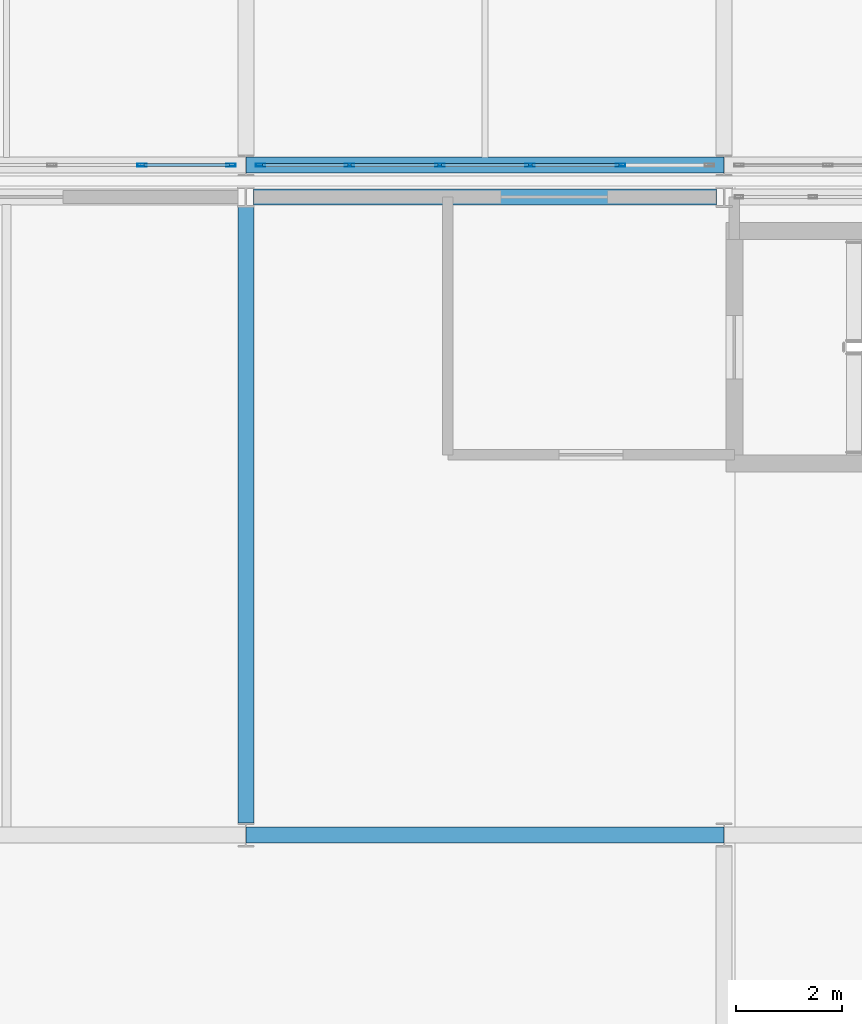
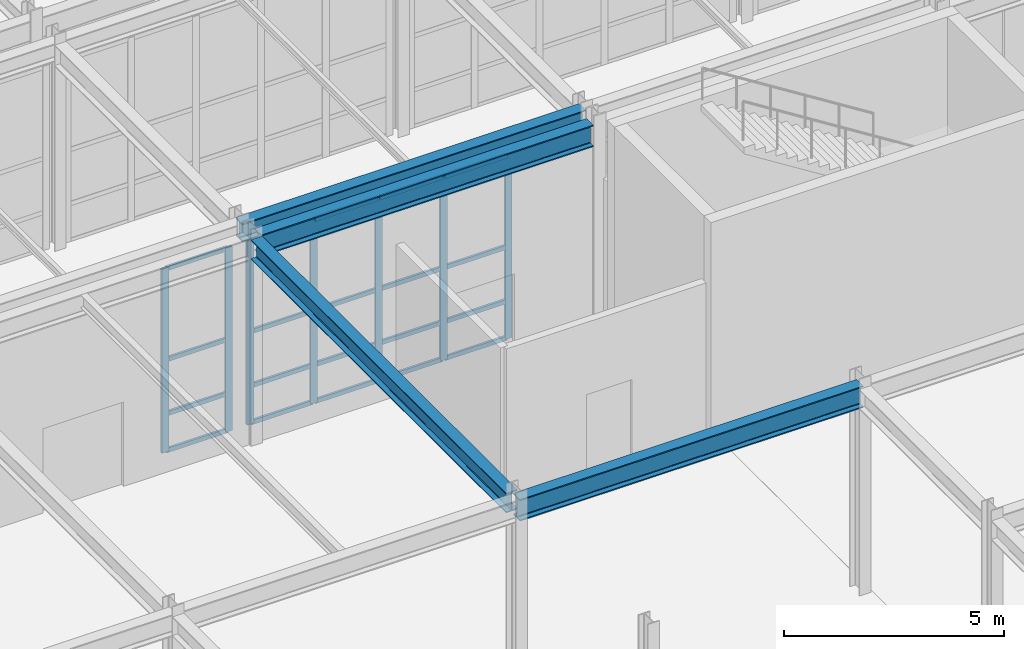
# One storey, part 30 of 146: 27 members, 4 beams, 2 elements without a shape of their own.
"""IFC4 building model written with IfcOpenShell, lengths in metres."""

from ifc_helpers import new_model, si_unit, direction, frame, origin, origin_2d, place, context, subcontext, project, spatial, hollow_rectangle, i_section, extrude, material, material_profile, profile_set, type_object, element, aggregate, save


model = new_model("IFC4")

# Units and contexts
model_context = context("Model", 3, precision=1e-05, world=origin(), true_north=direction((0.0, 1.0)))
body_context = subcontext(model_context, "Body", "Model", "MODEL_VIEW")
ifc_project = project(units=[si_unit("LENGTHUNIT", "METRE"), si_unit("AREAUNIT", "SQUARE_METRE"), si_unit("VOLUMEUNIT", "CUBIC_METRE"), si_unit("PLANEANGLEUNIT", "RADIAN"), si_unit("MASSUNIT", "GRAM", prefix="KILO")], contexts=[model_context])

# Site, building, storey
site_placement = place(None, origin())
site = spatial("IfcSite", under=ifc_project, at=site_placement, CompositionType="ELEMENT")
building_placement = place(site_placement, origin())
building = spatial("IfcBuilding", under=site, at=building_placement, Name="Kaldris Quays Convention Centre", CompositionType="ELEMENT")
storey_placement = place(building_placement, origin())
storey = spatial("IfcBuildingStorey", under=building, at=storey_placement, Name="L00", CompositionType="ELEMENT", Elevation=0.0)

# Curtain wall, members
ifc_material_1 = material(Name="Anodized aluminium AW-6060 and triple glazing", Category="aluminium")
curtain_wall_type = type_object("IfcCurtainWallType", Name="UNITISED CURTAIN WALL CW02", PredefinedType="NOTDEFINED", material=ifc_material_1)
curtain_wall_1_placement = place(storey_placement, origin())
curtain_wall_1 = element("IfcCurtainWall", 1, at=curtain_wall_1_placement, inside=storey, type_object=curtain_wall_type, Name="L00 Unitised Curtain Wall CW02 78", PredefinedType="NOTDEFINED")
ifc_material_2 = material(Name="Anodized aluminium AW-6060", Category="aluminium")
ifc_material_profile_1 = material_profile(ifc_material_2, hollow_rectangle(XDim=0.06005859375, YDim=0.179931640625, WallThickness=0.0048828125, at=origin_2d()), Name="RHS 180x60x5")
ifc_profile_set_1 = profile_set([ifc_material_profile_1], Name="Anodized aluminium AW-6060")
member_type_1 = type_object("IfcMemberType", Name="CURTAIN MULLION CWM2", PredefinedType="MULLION", material=ifc_profile_set_1)
member_1_placement = place(storey_placement, frame((36.050048828125, 46.60009765625, 0.0), z_axis=(0.0, 0.0, 1.0), x_axis=(0.0, 1.0, 0.0)))
member_1 = element("IfcMember", 2, at=member_1_placement, type_object=member_type_1, Name="CW02 mullion 5", PredefinedType="MULLION", context=body_context, shape_type="SweptSolid", body=[
    extrude(hollow_rectangle(XDim=0.06005859375, YDim=0.179931640625, WallThickness=0.0048828125, at=origin_2d()), origin(), (0.0, 0.0, 1.0), 5.10009765625),
])
member_2_placement = place(storey_placement, frame((37.719970703125, 46.60009765625, 0.0), z_axis=(0.0, 0.0, 1.0), x_axis=(0.0, 1.0, 0.0)))
member_2 = element("IfcMember", 3, at=member_2_placement, type_object=member_type_1, Name="CW02 mullion 6", PredefinedType="MULLION", context=body_context, shape_type="SweptSolid", body=[
    extrude(hollow_rectangle(XDim=0.06005859375, YDim=0.179931640625, WallThickness=0.0048828125, at=origin_2d()), origin(), (0.0, 0.0, 1.0), 5.10009765625),
])

curtain_wall_2_placement = place(storey_placement, origin())
curtain_wall_2 = element("IfcCurtainWall", 4, at=curtain_wall_2_placement, inside=storey, type_object=curtain_wall_type, Name="L00 Unitised Curtain Wall CW02 80", PredefinedType="NOTDEFINED")
member_3_placement = place(storey_placement, frame((38.280029296875, 46.60009765625, 0.0), z_axis=(0.0, 0.0, 1.0), x_axis=(0.0, 1.0, 0.0)))
member_3 = element("IfcMember", 5, at=member_3_placement, type_object=member_type_1, Name="CW02 mullion 1", PredefinedType="MULLION", context=body_context, shape_type="SweptSolid", body=[
    extrude(hollow_rectangle(XDim=0.06005859375, YDim=0.179931640625, WallThickness=0.0048828125, at=origin_2d()), origin(), (0.0, 0.0, 1.0), 5.10009765625),
])
member_4_placement = place(storey_placement, frame((39.949951171875, 46.60009765625, 0.0), z_axis=(0.0, 0.0, 1.0), x_axis=(0.0, 1.0, 0.0)))
member_4 = element("IfcMember", 6, at=member_4_placement, type_object=member_type_1, Name="CW02 mullion 2", PredefinedType="MULLION", context=body_context, shape_type="SweptSolid", body=[
    extrude(hollow_rectangle(XDim=0.06005859375, YDim=0.179931640625, WallThickness=0.0048828125, at=origin_2d()), origin(), (0.0, 0.0, 1.0), 5.10009765625),
])
member_5_placement = place(storey_placement, frame((41.64990234375, 46.60009765625, 0.0), z_axis=(0.0, 0.0, 1.0), x_axis=(0.0, 1.0, 0.0)))
member_5 = element("IfcMember", 7, at=member_5_placement, type_object=member_type_1, Name="CW02 mullion 3", PredefinedType="MULLION", context=body_context, shape_type="SweptSolid", body=[
    extrude(hollow_rectangle(XDim=0.06005859375, YDim=0.179931640625, WallThickness=0.0048828125, at=origin_2d()), origin(), (0.0, 0.0, 1.0), 5.10009765625),
])
member_6_placement = place(storey_placement, frame((43.35009765625, 46.60009765625, 0.0), z_axis=(0.0, 0.0, 1.0), x_axis=(0.0, 1.0, 0.0)))
member_6 = element("IfcMember", 8, at=member_6_placement, type_object=member_type_1, Name="CW02 mullion 4", PredefinedType="MULLION", context=body_context, shape_type="SweptSolid", body=[
    extrude(hollow_rectangle(XDim=0.06005859375, YDim=0.179931640625, WallThickness=0.0048828125, at=origin_2d()), origin(), (0.0, 0.0, 1.0), 5.10009765625),
])
member_7_placement = place(storey_placement, frame((45.050048828125, 46.60009765625, 0.0), z_axis=(0.0, 0.0, 1.0), x_axis=(0.0, 1.0, 0.0)))
member_7 = element("IfcMember", 9, at=member_7_placement, type_object=member_type_1, Name="CW02 mullion 5", PredefinedType="MULLION", context=body_context, shape_type="SweptSolid", body=[
    extrude(hollow_rectangle(XDim=0.06005859375, YDim=0.179931640625, WallThickness=0.0048828125, at=origin_2d()), origin(), (0.0, 0.0, 1.0), 5.10009765625),
])

# Member
ifc_material_profile_2 = material_profile(ifc_material_2, hollow_rectangle(XDim=0.06005859375, YDim=0.1201171875, WallThickness=0.00390625, at=origin_2d()), Name="RHS 120x60x4")
ifc_profile_set_2 = profile_set([ifc_material_profile_2], Name="Anodized aluminium AW-6060")
member_type_2 = type_object("IfcMemberType", Name="CURTAIN TRANSOM CWT1", PredefinedType="USERDEFINED", material=ifc_profile_set_2)
member_8_placement = place(storey_placement, frame((36.080078125, 46.60009765625, 0.030029296875), z_axis=(1.0, 0.0, 0.0), x_axis=(0.0, 1.0, 0.0)))
member_8 = element("IfcMember", 10, at=member_8_placement, type_object=member_type_2, Name="CW02 transom 5.1", ObjectType="TRANSOM", PredefinedType="USERDEFINED", context=body_context, shape_type="SweptSolid", body=[
    extrude(hollow_rectangle(XDim=0.06005859375, YDim=0.1201171875, WallThickness=0.00390625, at=origin_2d()), origin(), (0.0, 0.0, 1.0), 1.60986328125),
])

member_9_placement = place(storey_placement, frame((36.080078125, 46.60009765625, 1.050048828125), z_axis=(1.0, 0.0, 0.0), x_axis=(0.0, 1.0, 0.0)))
member_9 = element("IfcMember", 11, at=member_9_placement, type_object=member_type_2, Name="CW02 transom 5.2", ObjectType="TRANSOM", PredefinedType="USERDEFINED", context=body_context, shape_type="SweptSolid", body=[
    extrude(hollow_rectangle(XDim=0.06005859375, YDim=0.1201171875, WallThickness=0.00390625, at=origin_2d()), origin(), (0.0, 0.0, 1.0), 1.60986328125),
])

member_10_placement = place(storey_placement, frame((36.080078125, 46.60009765625, 2.550048828125), z_axis=(1.0, 0.0, 0.0), x_axis=(0.0, 1.0, 0.0)))
member_10 = element("IfcMember", 12, at=member_10_placement, type_object=member_type_2, Name="CW02 transom 5.3", ObjectType="TRANSOM", PredefinedType="USERDEFINED", context=body_context, shape_type="SweptSolid", body=[
    extrude(hollow_rectangle(XDim=0.06005859375, YDim=0.1201171875, WallThickness=0.00390625, at=origin_2d()), origin(), (0.0, 0.0, 1.0), 1.60986328125),
])

member_11_placement = place(storey_placement, frame((36.080078125, 46.60009765625, 5.070068359375), z_axis=(1.0, 0.0, 0.0), x_axis=(0.0, 1.0, 0.0)))
member_11 = element("IfcMember", 13, at=member_11_placement, type_object=member_type_2, Name="CW02 transom 5.4", ObjectType="TRANSOM", PredefinedType="USERDEFINED", context=body_context, shape_type="SweptSolid", body=[
    extrude(hollow_rectangle(XDim=0.06005859375, YDim=0.1201171875, WallThickness=0.00390625, at=origin_2d()), origin(), (0.0, 0.0, 1.0), 1.60986328125),
])

aggregate(curtain_wall_1, [member_1, member_2, member_8, member_9, member_10, member_11])

member_12_placement = place(storey_placement, frame((38.31005859375, 46.60009765625, 0.030029296875), z_axis=(1.0, 0.0, 0.0), x_axis=(0.0, 1.0, 0.0)))
member_12 = element("IfcMember", 14, at=member_12_placement, type_object=member_type_2, Name="CW02 transom 1.1", ObjectType="TRANSOM", PredefinedType="USERDEFINED", context=body_context, shape_type="SweptSolid", body=[
    extrude(hollow_rectangle(XDim=0.06005859375, YDim=0.1201171875, WallThickness=0.00390625, at=origin_2d()), origin(), (0.0, 0.0, 1.0), 1.60986328125),
])

member_13_placement = place(storey_placement, frame((38.31005859375, 46.60009765625, 1.050048828125), z_axis=(1.0, 0.0, 0.0), x_axis=(0.0, 1.0, 0.0)))
member_13 = element("IfcMember", 15, at=member_13_placement, type_object=member_type_2, Name="CW02 transom 1.2", ObjectType="TRANSOM", PredefinedType="USERDEFINED", context=body_context, shape_type="SweptSolid", body=[
    extrude(hollow_rectangle(XDim=0.06005859375, YDim=0.1201171875, WallThickness=0.00390625, at=origin_2d()), origin(), (0.0, 0.0, 1.0), 1.60986328125),
])

member_14_placement = place(storey_placement, frame((38.31005859375, 46.60009765625, 2.550048828125), z_axis=(1.0, 0.0, 0.0), x_axis=(0.0, 1.0, 0.0)))
member_14 = element("IfcMember", 16, at=member_14_placement, type_object=member_type_2, Name="CW02 transom 1.3", ObjectType="TRANSOM", PredefinedType="USERDEFINED", context=body_context, shape_type="SweptSolid", body=[
    extrude(hollow_rectangle(XDim=0.06005859375, YDim=0.1201171875, WallThickness=0.00390625, at=origin_2d()), origin(), (0.0, 0.0, 1.0), 1.60986328125),
])

member_15_placement = place(storey_placement, frame((38.31005859375, 46.60009765625, 5.070068359375), z_axis=(1.0, 0.0, 0.0), x_axis=(0.0, 1.0, 0.0)))
member_15 = element("IfcMember", 17, at=member_15_placement, type_object=member_type_2, Name="CW02 transom 1.4", ObjectType="TRANSOM", PredefinedType="USERDEFINED", context=body_context, shape_type="SweptSolid", body=[
    extrude(hollow_rectangle(XDim=0.06005859375, YDim=0.1201171875, WallThickness=0.00390625, at=origin_2d()), origin(), (0.0, 0.0, 1.0), 1.60986328125),
])

member_16_placement = place(storey_placement, frame((39.97998046875, 46.60009765625, 0.030029296875), z_axis=(1.0, 0.0, 0.0), x_axis=(0.0, 1.0, 0.0)))
member_16 = element("IfcMember", 18, at=member_16_placement, type_object=member_type_2, Name="CW02 transom 2.1", ObjectType="TRANSOM", PredefinedType="USERDEFINED", context=body_context, shape_type="SweptSolid", body=[
    extrude(hollow_rectangle(XDim=0.06005859375, YDim=0.1201171875, WallThickness=0.00390625, at=origin_2d()), origin(), (0.0, 0.0, 1.0), 1.64013671875),
])

member_17_placement = place(storey_placement, frame((39.97998046875, 46.60009765625, 1.050048828125), z_axis=(1.0, 0.0, 0.0), x_axis=(0.0, 1.0, 0.0)))
member_17 = element("IfcMember", 19, at=member_17_placement, type_object=member_type_2, Name="CW02 transom 2.2", ObjectType="TRANSOM", PredefinedType="USERDEFINED", context=body_context, shape_type="SweptSolid", body=[
    extrude(hollow_rectangle(XDim=0.06005859375, YDim=0.1201171875, WallThickness=0.00390625, at=origin_2d()), origin(), (0.0, 0.0, 1.0), 1.64013671875),
])

member_18_placement = place(storey_placement, frame((39.97998046875, 46.60009765625, 2.550048828125), z_axis=(1.0, 0.0, 0.0), x_axis=(0.0, 1.0, 0.0)))
member_18 = element("IfcMember", 20, at=member_18_placement, type_object=member_type_2, Name="CW02 transom 2.3", ObjectType="TRANSOM", PredefinedType="USERDEFINED", context=body_context, shape_type="SweptSolid", body=[
    extrude(hollow_rectangle(XDim=0.06005859375, YDim=0.1201171875, WallThickness=0.00390625, at=origin_2d()), origin(), (0.0, 0.0, 1.0), 1.64013671875),
])

member_19_placement = place(storey_placement, frame((39.97998046875, 46.60009765625, 5.070068359375), z_axis=(1.0, 0.0, 0.0), x_axis=(0.0, 1.0, 0.0)))
member_19 = element("IfcMember", 21, at=member_19_placement, type_object=member_type_2, Name="CW02 transom 2.4", ObjectType="TRANSOM", PredefinedType="USERDEFINED", context=body_context, shape_type="SweptSolid", body=[
    extrude(hollow_rectangle(XDim=0.06005859375, YDim=0.1201171875, WallThickness=0.00390625, at=origin_2d()), origin(), (0.0, 0.0, 1.0), 1.64013671875),
])

member_20_placement = place(storey_placement, frame((41.679931640625, 46.60009765625, 0.030029296875), z_axis=(1.0, 0.0, 0.0), x_axis=(0.0, 1.0, 0.0)))
member_20 = element("IfcMember", 22, at=member_20_placement, type_object=member_type_2, Name="CW02 transom 3.1", ObjectType="TRANSOM", PredefinedType="USERDEFINED", context=body_context, shape_type="SweptSolid", body=[
    extrude(hollow_rectangle(XDim=0.06005859375, YDim=0.1201171875, WallThickness=0.00390625, at=origin_2d()), origin(), (0.0, 0.0, 1.0), 1.64013671875),
])

member_21_placement = place(storey_placement, frame((41.679931640625, 46.60009765625, 1.050048828125), z_axis=(1.0, 0.0, 0.0), x_axis=(0.0, 1.0, 0.0)))
member_21 = element("IfcMember", 23, at=member_21_placement, type_object=member_type_2, Name="CW02 transom 3.2", ObjectType="TRANSOM", PredefinedType="USERDEFINED", context=body_context, shape_type="SweptSolid", body=[
    extrude(hollow_rectangle(XDim=0.06005859375, YDim=0.1201171875, WallThickness=0.00390625, at=origin_2d()), origin(), (0.0, 0.0, 1.0), 1.64013671875),
])

member_22_placement = place(storey_placement, frame((41.679931640625, 46.60009765625, 2.550048828125), z_axis=(1.0, 0.0, 0.0), x_axis=(0.0, 1.0, 0.0)))
member_22 = element("IfcMember", 24, at=member_22_placement, type_object=member_type_2, Name="CW02 transom 3.3", ObjectType="TRANSOM", PredefinedType="USERDEFINED", context=body_context, shape_type="SweptSolid", body=[
    extrude(hollow_rectangle(XDim=0.06005859375, YDim=0.1201171875, WallThickness=0.00390625, at=origin_2d()), origin(), (0.0, 0.0, 1.0), 1.64013671875),
])

member_23_placement = place(storey_placement, frame((41.679931640625, 46.60009765625, 5.070068359375), z_axis=(1.0, 0.0, 0.0), x_axis=(0.0, 1.0, 0.0)))
member_23 = element("IfcMember", 25, at=member_23_placement, type_object=member_type_2, Name="CW02 transom 3.4", ObjectType="TRANSOM", PredefinedType="USERDEFINED", context=body_context, shape_type="SweptSolid", body=[
    extrude(hollow_rectangle(XDim=0.06005859375, YDim=0.1201171875, WallThickness=0.00390625, at=origin_2d()), origin(), (0.0, 0.0, 1.0), 1.64013671875),
])

member_24_placement = place(storey_placement, frame((43.3798828125, 46.60009765625, 0.030029296875), z_axis=(1.0, 0.0, 0.0), x_axis=(0.0, 1.0, 0.0)))
member_24 = element("IfcMember", 26, at=member_24_placement, type_object=member_type_2, Name="CW02 transom 4.1", ObjectType="TRANSOM", PredefinedType="USERDEFINED", context=body_context, shape_type="SweptSolid", body=[
    extrude(hollow_rectangle(XDim=0.06005859375, YDim=0.1201171875, WallThickness=0.00390625, at=origin_2d()), origin(), (0.0, 0.0, 1.0), 1.64013671875),
])

member_25_placement = place(storey_placement, frame((43.3798828125, 46.60009765625, 1.050048828125), z_axis=(1.0, 0.0, 0.0), x_axis=(0.0, 1.0, 0.0)))
member_25 = element("IfcMember", 27, at=member_25_placement, type_object=member_type_2, Name="CW02 transom 4.2", ObjectType="TRANSOM", PredefinedType="USERDEFINED", context=body_context, shape_type="SweptSolid", body=[
    extrude(hollow_rectangle(XDim=0.06005859375, YDim=0.1201171875, WallThickness=0.00390625, at=origin_2d()), origin(), (0.0, 0.0, 1.0), 1.64013671875),
])

member_26_placement = place(storey_placement, frame((43.3798828125, 46.60009765625, 2.550048828125), z_axis=(1.0, 0.0, 0.0), x_axis=(0.0, 1.0, 0.0)))
member_26 = element("IfcMember", 28, at=member_26_placement, type_object=member_type_2, Name="CW02 transom 4.3", ObjectType="TRANSOM", PredefinedType="USERDEFINED", context=body_context, shape_type="SweptSolid", body=[
    extrude(hollow_rectangle(XDim=0.06005859375, YDim=0.1201171875, WallThickness=0.00390625, at=origin_2d()), origin(), (0.0, 0.0, 1.0), 1.64013671875),
])

member_27_placement = place(storey_placement, frame((43.3798828125, 46.60009765625, 5.070068359375), z_axis=(1.0, 0.0, 0.0), x_axis=(0.0, 1.0, 0.0)))
member_27 = element("IfcMember", 29, at=member_27_placement, type_object=member_type_2, Name="CW02 transom 4.4", ObjectType="TRANSOM", PredefinedType="USERDEFINED", context=body_context, shape_type="SweptSolid", body=[
    extrude(hollow_rectangle(XDim=0.06005859375, YDim=0.1201171875, WallThickness=0.00390625, at=origin_2d()), origin(), (0.0, 0.0, 1.0), 1.64013671875),
])

aggregate(curtain_wall_2, [member_3, member_4, member_5, member_6, member_7, member_12, member_13, member_14, member_15, member_16, member_17, member_18, member_19, member_20, member_21, member_22, member_23, member_24, member_25, member_26, member_27])

# Beams
ifc_material_3 = material(Name="Steel S355J2", Category="steel")
ifc_material_profile_3 = material_profile(ifc_material_3, i_section(OverallWidth=0.300048828125, OverallDepth=0.60009765625, WebThickness=0.015380859375, FlangeThickness=0.030029296875, FilletRadius=0.027099609375, at=origin_2d()), Name="HEB 600")
ifc_profile_set_3 = profile_set([ifc_material_profile_3], Name="Steel S355J2")
beam_type_1 = type_object("IfcBeamType", Name="STRUCTURAL BEAM BM05", PredefinedType="BEAM", material=ifc_profile_set_3)
beam_1_placement = place(storey_placement, frame((38.0009765625, 34.0, 5.423095703125), z_axis=(1.0, 0.0, 0.0), x_axis=(0.0, 1.0, 0.0)))
element("IfcBeam", 30, at=beam_1_placement, inside=storey, type_object=beam_type_1, Name="L00 Girder BM05 15", PredefinedType="BEAM", context=body_context, shape_type="SweptSolid", body=[
    extrude(i_section(OverallWidth=0.300048828125, OverallDepth=0.60009765625, WebThickness=0.015380859375, FlangeThickness=0.030029296875, FilletRadius=0.027099609375, at=origin_2d()), origin(), (0.0, 0.0, 1.0), 8.998046875),
])
beam_2_placement = place(storey_placement, frame((38.14794921875, 46.0, 5.423095703125), z_axis=(1.0, 0.0, 0.0), x_axis=(0.0, 1.0, 0.0)))
element("IfcBeam", 31, at=beam_2_placement, inside=storey, type_object=beam_type_1, Name="L00 Girder BM05 22", PredefinedType="BEAM", context=body_context, shape_type="SweptSolid", body=[
    extrude(i_section(OverallWidth=0.300048828125, OverallDepth=0.60009765625, WebThickness=0.015380859375, FlangeThickness=0.030029296875, FilletRadius=0.027099609375, at=origin_2d()), origin(), (0.0, 0.0, 1.0), 8.7041015625),
])
ifc_material_profile_4 = material_profile(ifc_material_3, i_section(OverallWidth=0.300048828125, OverallDepth=0.5, WebThickness=0.014404296875, FlangeThickness=0.028076171875, FilletRadius=0.027099609375, at=origin_2d()), Name="HEB 500")
ifc_profile_set_4 = profile_set([ifc_material_profile_4], Name="Steel S355J2")
beam_type_2 = type_object("IfcBeamType", Name="STRUCTURAL BEAM BM06", PredefinedType="BEAM", material=ifc_profile_set_4)
beam_3_placement = place(storey_placement, frame((37.99951171875, 46.60009765625, 5.472900390625), z_axis=(1.0, 0.0, 0.0), x_axis=(0.0, 1.0, 0.0)))
element("IfcBeam", 32, at=beam_3_placement, inside=storey, type_object=beam_type_2, Name="L00 Girder BM06 2", PredefinedType="BEAM", context=body_context, shape_type="SweptSolid", body=[
    extrude(i_section(OverallWidth=0.300048828125, OverallDepth=0.5, WebThickness=0.014404296875, FlangeThickness=0.028076171875, FilletRadius=0.027099609375, at=origin_2d()), origin(), (0.0, 0.0, 1.0), 9.0009765625),
])
ifc_material_profile_5 = material_profile(ifc_material_3, i_section(OverallWidth=0.300048828125, OverallDepth=0.5400390625, WebThickness=0.012451171875, FlangeThickness=0.02392578125, FilletRadius=0.027099609375, at=origin_2d()), Name="HEA 550")
ifc_profile_set_5 = profile_set([ifc_material_profile_5], Name="Steel S355J2")
beam_type_3 = type_object("IfcBeamType", Name="STRUCTURAL BEAM BM13", PredefinedType="BEAM", material=ifc_profile_set_5)
beam_4_placement = place(storey_placement, frame((38.0, 34.218994140625, 5.452880859375), z_axis=(0.0, 1.0, 0.0), x_axis=(-1.0, 0.0, 0.0)))
element("IfcBeam", 33, at=beam_4_placement, inside=storey, type_object=beam_type_3, Name="L00 Girder BM13 34", PredefinedType="BEAM", context=body_context, shape_type="SweptSolid", body=[
    extrude(i_section(OverallWidth=0.300048828125, OverallDepth=0.5400390625, WebThickness=0.012451171875, FlangeThickness=0.02392578125, FilletRadius=0.027099609375, at=origin_2d()), origin(), (0.0, 0.0, 1.0), 11.589599609375),
])

save(model, "model.ifc")
